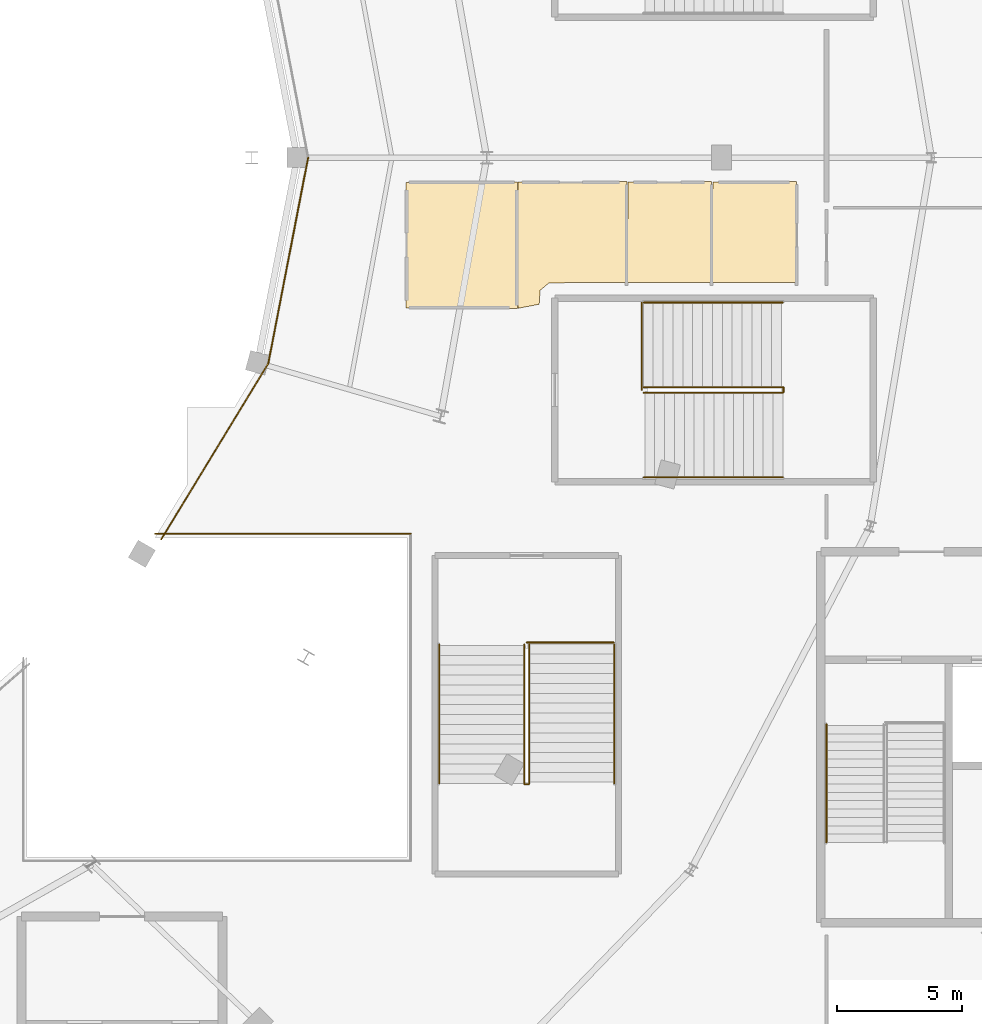
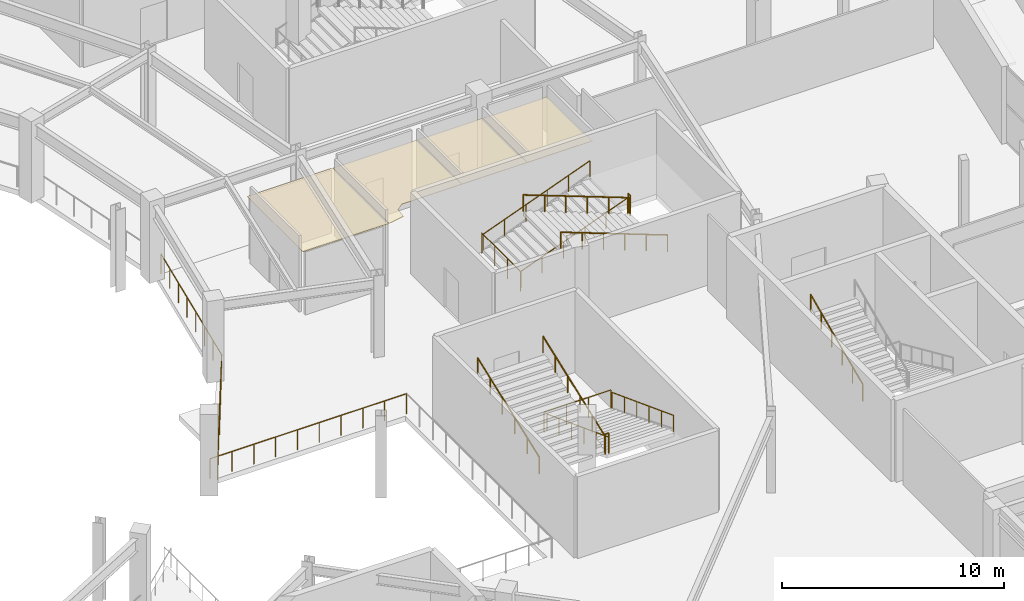
# One storey, part 104 of 107: 16 railings, 4 coverings.
"""IFC4 building model written with IfcOpenShell, lengths in metres."""

from ifc_helpers import new_model, si_unit, direction, frame, origin, origin_2d, place, context, subcontext, project, spatial, polyline, circle, outline, extrude, material, layer, layer_set, type_object, element, save


model = new_model("IFC4")

# Units and contexts
model_context = context("Model", 3, precision=1e-05, world=origin(), true_north=direction((0.0, 1.0)))
body_context = subcontext(model_context, "Body", "Model", "MODEL_VIEW")
ifc_project = project(units=[si_unit("LENGTHUNIT", "METRE"), si_unit("AREAUNIT", "SQUARE_METRE"), si_unit("VOLUMEUNIT", "CUBIC_METRE"), si_unit("PLANEANGLEUNIT", "RADIAN"), si_unit("MASSUNIT", "GRAM", prefix="KILO")], contexts=[model_context])

# Site, building, storey
site_placement = place(None, origin())
site = spatial("IfcSite", under=ifc_project, at=site_placement, CompositionType="ELEMENT")
building_placement = place(site_placement, origin())
building = spatial("IfcBuilding", under=site, at=building_placement, Name="Kalgoora Escarpment Arena", CompositionType="ELEMENT")
storey_placement = place(building_placement, frame((0.0, 0.0, 5.39990234375)))
storey = spatial("IfcBuildingStorey", under=building, at=storey_placement, Name="L01", CompositionType="ELEMENT", Elevation=5.39990234375)

# Coverings
ifc_material_1 = material(Name="Perforated acoustic mineral-fibre ceiling tile")
ifc_layer = layer(ifc_material_1, 0.02490234375)
ifc_layer_set = layer_set([ifc_layer], Name="COV-CEIL-ACOUSTIC")
covering_type = type_object("IfcCoveringType", Name="COV-CEIL-ACOUSTIC", PredefinedType="CEILING", material=ifc_layer_set)
covering_1_placement = place(storey_placement, frame((0.0, 0.0, 3.47998046875)))
element("IfcCovering", 1, at=covering_1_placement, inside=storey, type_object=covering_type, Name="L01 Male WC 2 acoustic suspended ceiling", PredefinedType="CEILING", context=body_context, shape_type="SweptSolid", body=[
    extrude(outline(polyline([(143.160888671875, 63.0078125), (147.630859375, 63.025390625), (147.62548828125, 57.968994140625), (143.169189453125, 57.974609375), (143.160888671875, 63.0078125)])), origin(), (0.0, 0.0, 1.0), 0.025146484375),
])
covering_2_placement = place(storey_placement, frame((0.0, 0.0, 3.47998046875)))
element("IfcCovering", 2, at=covering_2_placement, inside=storey, type_object=covering_type, Name="L01 Female WC 2 acoustic suspended ceiling", PredefinedType="CEILING", context=body_context, shape_type="SweptSolid", body=[
    extrude(outline(polyline([(152.0078125, 63.039306640625), (152.0400390625, 59.0), (148.902587890625, 58.990478515625), (148.5380859375, 58.69140625), (148.5, 58.132080078125), (147.65478515625, 57.968994140625), (147.649169921875, 63.025390625), (152.0078125, 63.039306640625)])), origin(), (0.0, 0.0, 1.0), 0.025146484375),
])
covering_3_placement = place(storey_placement, frame((0.0, 0.0, 3.47998046875)))
element("IfcCovering", 3, at=covering_3_placement, inside=storey, type_object=covering_type, Name="L01 Accessible WC 2 acoustic suspended ceiling", PredefinedType="CEILING", context=body_context, shape_type="SweptSolid", body=[
    extrude(outline(polyline([(155.40771484375, 63.039306640625), (155.43994140625, 59.0), (152.0400390625, 59.0), (152.049072265625, 63.025390625), (155.40771484375, 63.039306640625)])), origin(), (0.0, 0.0, 1.0), 0.025146484375),
])
covering_4_placement = place(storey_placement, frame((0.0, 0.0, 3.47998046875)))
element("IfcCovering", 4, at=covering_4_placement, inside=storey, type_object=covering_type, Name="L01 Staff WC 2 acoustic suspended ceiling", PredefinedType="CEILING", context=body_context, shape_type="SweptSolid", body=[
    extrude(outline(polyline([(158.807861328125, 63.039306640625), (158.840087890625, 59.0), (155.43994140625, 59.0), (155.44921875, 63.025390625), (158.807861328125, 63.039306640625)])), origin(), (0.0, 0.0, 1.0), 0.025146484375),
])

# Railings
ifc_material_2 = material(Name="Galvanised & powdercoated tubular steel", Category="steel")
railing_type_1 = type_object("IfcRailingType", Name="RAL-GUARD-1120", PredefinedType="GUARDRAIL", material=ifc_material_2)
railing_1_placement = place(storey_placement, frame((158.280029296875, 54.800048828125, 2.25)))
element("IfcRailing", 5, at=railing_1_placement, inside=storey, type_object=railing_type_1, Name="ST22 L01 half-landing well guard", PredefinedType="GUARDRAIL", context=body_context, shape_type="SweptSolid", body=[
    extrude(circle(Radius=0.02392578125, at=origin_2d()), frame((0.0, 0.0, 1.09619140625), z_axis=(0.0, -1.0, 0.0), x_axis=(1.0, 0.0, 0.0)), (0.0, 0.0, 1.0), 0.199951171875),
    extrude(circle(Radius=0.02099609375, at=origin_2d()), origin(), (0.0, 0.0, 1.0), 1.072021484375),
    extrude(circle(Radius=0.02099609375, at=origin_2d()), frame((0.0, -0.199951171875, 0.0)), (0.0, 0.0, 1.0), 1.072021484375),
])
railing_2_placement = place(storey_placement, frame((152.610107421875, 58.18994140625, 0.0)))
element("IfcRailing", 6, at=railing_2_placement, inside=storey, type_object=railing_type_1, Name="ST22 L01 floor landing well guard", PredefinedType="GUARDRAIL", context=body_context, shape_type="SweptSolid", body=[
    extrude(circle(Radius=0.02392578125, at=origin_2d()), frame((0.0, 0.0, 1.09619140625), z_axis=(0.0, -1.0, 0.0), x_axis=(1.0, 0.0, 0.0)), (0.0, 0.0, 1.0), 3.489990234375),
    extrude(circle(Radius=0.02099609375, at=origin_2d()), origin(), (0.0, 0.0, 1.0), 1.072021484375),
    extrude(circle(Radius=0.02099609375, at=origin_2d()), frame((0.0, -1.163330078125, 0.0)), (0.0, 0.0, 1.0), 1.072021484375),
    extrude(circle(Radius=0.02099609375, at=origin_2d()), frame((0.0, -2.32666015625, 0.0)), (0.0, 0.0, 1.0), 1.072021484375),
    extrude(circle(Radius=0.02099609375, at=origin_2d()), frame((0.0, -3.489990234375, 0.0)), (0.0, 0.0, 1.0), 1.072021484375),
])
railing_3_placement = place(storey_placement, frame((148.090087890625, 38.919921875, 2.25)))
element("IfcRailing", 7, at=railing_3_placement, inside=storey, type_object=railing_type_1, Name="ST24 L01 half-landing well guard", PredefinedType="GUARDRAIL", context=body_context, shape_type="SweptSolid", body=[
    extrude(circle(Radius=0.02392578125, at=origin_2d()), frame((0.0, 0.0, 1.09619140625), z_axis=(-1.0, 0.0, 0.0), x_axis=(0.0, -1.0, 0.0)), (0.0, 0.0, 1.0), 0.18017578125),
    extrude(circle(Radius=0.02099609375, at=origin_2d()), origin(), (0.0, 0.0, 1.0), 1.072021484375),
    extrude(circle(Radius=0.02099609375, at=origin_2d()), frame((-0.18017578125, 0.0, 0.0)), (0.0, 0.0, 1.0), 1.072021484375),
])
railing_4_placement = place(storey_placement, frame((151.489990234375, 44.590087890625, 0.0)))
element("IfcRailing", 8, at=railing_4_placement, inside=storey, type_object=railing_type_1, Name="ST24 L01 floor landing well guard", PredefinedType="GUARDRAIL", context=body_context, shape_type="SweptSolid", body=[
    extrude(circle(Radius=0.02392578125, at=origin_2d()), frame((0.0, 0.0, 1.09619140625), z_axis=(-1.0, 0.0, 0.0), x_axis=(0.0, -1.0, 0.0)), (0.0, 0.0, 1.0), 3.489990234375),
    extrude(circle(Radius=0.02099609375, at=origin_2d()), origin(), (0.0, 0.0, 1.0), 1.072021484375),
    extrude(circle(Radius=0.02099609375, at=origin_2d()), frame((-1.163330078125, 0.0, 0.0)), (0.0, 0.0, 1.0), 1.072021484375),
    extrude(circle(Radius=0.02099609375, at=origin_2d()), frame((-2.32666015625, 0.0, 0.0)), (0.0, 0.0, 1.0), 1.072021484375),
    extrude(circle(Radius=0.02099609375, at=origin_2d()), frame((-3.489990234375, 0.0, 0.0)), (0.0, 0.0, 1.0), 1.072021484375),
])
railing_5_placement = place(storey_placement, frame((133.3662109375, 48.719970703125, 0.0)))
element("IfcRailing", 9, at=railing_5_placement, inside=storey, type_object=railing_type_1, Name="L01 concourse bowl balustrade 23", PredefinedType="GUARDRAIL", context=body_context, shape_type="SweptSolid", body=[
    extrude(circle(Radius=0.02392578125, at=origin_2d()), frame((0.0, 0.0, 1.09619140625), z_axis=(0.520318182164, 0.853972475733, 0.0), x_axis=(-0.853972475733, 0.520318182164, 0.0)), (0.0, 0.0, 1.0), 8.239990234375),
    extrude(circle(Radius=0.02099609375, at=origin_2d()), origin(), (0.0, 0.0, 1.0), 1.072021484375),
    extrude(circle(Radius=0.02099609375, at=origin_2d()), frame((0.612548828125, 1.005126953125, 0.0)), (0.0, 0.0, 1.0), 1.072021484375),
    extrude(circle(Radius=0.02099609375, at=origin_2d()), frame((1.224853515625, 2.010498046875, 0.0)), (0.0, 0.0, 1.0), 1.072021484375),
    extrude(circle(Radius=0.02099609375, at=origin_2d()), frame((1.83740234375, 3.015625, 0.0)), (0.0, 0.0, 1.0), 1.072021484375),
    extrude(circle(Radius=0.02099609375, at=origin_2d()), frame((2.449951171875, 4.02099609375, 0.0)), (0.0, 0.0, 1.0), 1.072021484375),
    extrude(circle(Radius=0.02099609375, at=origin_2d()), frame((3.0625, 5.026123046875, 0.0)), (0.0, 0.0, 1.0), 1.072021484375),
    extrude(circle(Radius=0.02099609375, at=origin_2d()), frame((3.6748046875, 6.031494140625, 0.0)), (0.0, 0.0, 1.0), 1.072021484375),
    extrude(circle(Radius=0.02099609375, at=origin_2d()), frame((4.287353515625, 7.03662109375, 0.0)), (0.0, 0.0, 1.0), 1.072021484375),
])
railing_6_placement = place(storey_placement, frame((137.653564453125, 55.756591796875, 0.0)))
element("IfcRailing", 10, at=railing_6_placement, inside=storey, type_object=railing_type_1, Name="L01 concourse bowl balustrade 24", PredefinedType="GUARDRAIL", context=body_context, shape_type="SweptSolid", body=[
    extrude(circle(Radius=0.02392578125, at=origin_2d()), frame((0.0, 0.0, 1.09619140625), z_axis=(0.190129490405, 0.981759021796, 0.0), x_axis=(-0.981759021796, 0.190129490405, 0.0)), (0.0, 0.0, 1.0), 8.396484375),
    extrude(circle(Radius=0.02099609375, at=origin_2d()), origin(), (0.0, 0.0, 1.0), 1.072021484375),
    extrude(circle(Radius=0.02099609375, at=origin_2d()), frame((0.22802734375, 1.177734375, 0.0)), (0.0, 0.0, 1.0), 1.072021484375),
    extrude(circle(Radius=0.02099609375, at=origin_2d()), frame((0.4560546875, 2.355224609375, 0.0)), (0.0, 0.0, 1.0), 1.072021484375),
    extrude(circle(Radius=0.02099609375, at=origin_2d()), frame((0.68408203125, 3.532958984375, 0.0)), (0.0, 0.0, 1.0), 1.072021484375),
    extrude(circle(Radius=0.02099609375, at=origin_2d()), frame((0.912353515625, 4.71044921875, 0.0)), (0.0, 0.0, 1.0), 1.072021484375),
    extrude(circle(Radius=0.02099609375, at=origin_2d()), frame((1.140380859375, 5.88818359375, 0.0)), (0.0, 0.0, 1.0), 1.072021484375),
    extrude(circle(Radius=0.02099609375, at=origin_2d()), frame((1.368408203125, 7.065673828125, 0.0)), (0.0, 0.0, 1.0), 1.072021484375),
    extrude(circle(Radius=0.02099609375, at=origin_2d()), frame((1.596435546875, 8.243408203125, 0.0)), (0.0, 0.0, 1.0), 1.072021484375),
])
railing_7_placement = place(storey_placement, frame((143.35009765625, 48.949951171875, 0.0)))
element("IfcRailing", 11, at=railing_7_placement, inside=storey, type_object=railing_type_1, Name="L01 practice court void balustrade N", PredefinedType="GUARDRAIL", context=body_context, shape_type="SweptSolid", body=[
    extrude(circle(Radius=0.02392578125, at=origin_2d()), frame((0.0, 0.0, 1.09619140625), z_axis=(-1.0, 0.0, 0.0), x_axis=(0.0, -1.0, 0.0)), (0.0, 0.0, 1.0), 10.22900390625),
    extrude(circle(Radius=0.02099609375, at=origin_2d()), origin(), (0.0, 0.0, 1.0), 1.072021484375),
    extrude(circle(Radius=0.02099609375, at=origin_2d()), frame((-1.136474609375, 0.0, 0.0)), (0.0, 0.0, 1.0), 1.072021484375),
    extrude(circle(Radius=0.02099609375, at=origin_2d()), frame((-2.273193359375, 0.0, 0.0)), (0.0, 0.0, 1.0), 1.072021484375),
    extrude(circle(Radius=0.02099609375, at=origin_2d()), frame((-3.40966796875, 0.0, 0.0)), (0.0, 0.0, 1.0), 1.072021484375),
    extrude(circle(Radius=0.02099609375, at=origin_2d()), frame((-4.546142578125, 0.0, 0.0)), (0.0, 0.0, 1.0), 1.072021484375),
    extrude(circle(Radius=0.02099609375, at=origin_2d()), frame((-5.682861328125, 0.0, 0.0)), (0.0, 0.0, 1.0), 1.072021484375),
    extrude(circle(Radius=0.02099609375, at=origin_2d()), frame((-6.8193359375, 0.0, 0.0)), (0.0, 0.0, 1.0), 1.072021484375),
    extrude(circle(Radius=0.02099609375, at=origin_2d()), frame((-7.955810546875, 0.0, 0.0)), (0.0, 0.0, 1.0), 1.072021484375),
    extrude(circle(Radius=0.02099609375, at=origin_2d()), frame((-9.092529296875, 0.0, 0.0)), (0.0, 0.0, 1.0), 1.072021484375),
    extrude(circle(Radius=0.02099609375, at=origin_2d()), frame((-10.22900390625, 0.0, 0.0)), (0.0, 0.0, 1.0), 1.072021484375),
])
ifc_material_3 = material(Name="Brushed stainless steel 316 handrail", Category="steel")
railing_type_2 = type_object("IfcRailingType", Name="RAL-HAND-920", PredefinedType="HANDRAIL", material=ifc_material_3)
railing_8_placement = place(storey_placement, frame((160.0, 36.590087890625, 2.360107421875)))
element("IfcRailing", 12, at=railing_8_placement, inside=storey, type_object=railing_type_2, Name="ST07 L01 pitched stair handrail F2R", PredefinedType="HANDRAIL", context=body_context, shape_type="SweptSolid", body=[
    extrude(circle(Radius=0.02392578125, at=origin_2d()), frame((0.0, 0.0, 0.89599609375), z_axis=(0.0, 0.913643874524, 0.406515523129), x_axis=(-1.0, 0.0, 0.0)), (0.0, 0.0, 1.0), 5.166015625),
    extrude(circle(Radius=0.02099609375, at=origin_2d()), origin(), (0.0, 0.0, 1.0), 0.871826171875),
    extrude(circle(Radius=0.02099609375, at=origin_2d()), frame((0.0, 0.944091796875, 0.419921875)), (0.0, 0.0, 1.0), 0.871826171875),
    extrude(circle(Radius=0.02099609375, at=origin_2d()), frame((0.0, 1.887939453125, 0.840087890625)), (0.0, 0.0, 1.0), 0.871826171875),
    extrude(circle(Radius=0.02099609375, at=origin_2d()), frame((0.0, 2.83203125, 1.260009765625)), (0.0, 0.0, 1.0), 0.871826171875),
    extrude(circle(Radius=0.02099609375, at=origin_2d()), frame((0.0, 3.77587890625, 1.68017578125)), (0.0, 0.0, 1.0), 0.871826171875),
    extrude(circle(Radius=0.02099609375, at=origin_2d()), frame((0.0, 4.719970703125, 2.10009765625)), (0.0, 0.0, 1.0), 0.871826171875),
])
for number, where, name in (
    (13, (152.68994140625, 58.199951171875, 0.110107421875), "ST22 L01 pitched stair handrail F1L"),
    (14, (152.68994140625, 54.81005859375, 0.110107421875), "ST22 L01 pitched stair handrail F1R"),
):
    element("IfcRailing", number, at=place(storey_placement, frame(where)), inside=storey, type_object=railing_type_2, Name=name, PredefinedType="HANDRAIL", context=body_context, shape_type="SweptSolid", body=[
        extrude(circle(Radius=0.02392578125, at=origin_2d()), frame((0.0, 0.0, 0.89599609375), z_axis=(0.935492612948, 0.0, 0.353346248203), x_axis=(0.0, 1.0, 0.0)), (0.0, 0.0, 1.0), 5.943359375),
        extrude(circle(Radius=0.02099609375, at=origin_2d()), origin(), (0.0, 0.0, 1.0), 0.871826171875),
        extrude(circle(Radius=0.02099609375, at=origin_2d()), frame((1.112060546875, 0.0, 0.419921875)), (0.0, 0.0, 1.0), 0.871826171875),
        extrude(circle(Radius=0.02099609375, at=origin_2d()), frame((2.22412109375, 0.0, 0.840087890625)), (0.0, 0.0, 1.0), 0.871826171875),
        extrude(circle(Radius=0.02099609375, at=origin_2d()), frame((3.3359375, 0.0, 1.260009765625)), (0.0, 0.0, 1.0), 0.871826171875),
        extrude(circle(Radius=0.02099609375, at=origin_2d()), frame((4.447998046875, 0.0, 1.68017578125)), (0.0, 0.0, 1.0), 0.871826171875),
        extrude(circle(Radius=0.02099609375, at=origin_2d()), frame((5.56005859375, 0.0, 2.10009765625)), (0.0, 0.0, 1.0), 0.871826171875),
    ])
for number, where, name in (
    (15, (158.25, 54.590087890625, 2.360107421875), "ST22 L01 pitched stair handrail F2L"),
    (16, (158.25, 51.199951171875, 2.360107421875), "ST22 L01 pitched stair handrail F2R"),
):
    element("IfcRailing", number, at=place(storey_placement, frame(where)), inside=storey, type_object=railing_type_2, Name=name, PredefinedType="HANDRAIL", context=body_context, shape_type="SweptSolid", body=[
        extrude(circle(Radius=0.02392578125, at=origin_2d()), frame((0.0, 0.0, 0.89599609375), z_axis=(-0.935492612948, 0.0, 0.353346248203), x_axis=(0.0, -1.0, 0.0)), (0.0, 0.0, 1.0), 5.943359375),
        extrude(circle(Radius=0.02099609375, at=origin_2d()), origin(), (0.0, 0.0, 1.0), 0.871826171875),
        extrude(circle(Radius=0.02099609375, at=origin_2d()), frame((-1.112060546875, 0.0, 0.419921875)), (0.0, 0.0, 1.0), 0.871826171875),
        extrude(circle(Radius=0.02099609375, at=origin_2d()), frame((-2.22412109375, 0.0, 0.840087890625)), (0.0, 0.0, 1.0), 0.871826171875),
        extrude(circle(Radius=0.02099609375, at=origin_2d()), frame((-3.3359375, 0.0, 1.260009765625)), (0.0, 0.0, 1.0), 0.871826171875),
        extrude(circle(Radius=0.02099609375, at=origin_2d()), frame((-4.447998046875, 0.0, 1.68017578125)), (0.0, 0.0, 1.0), 0.871826171875),
        extrude(circle(Radius=0.02099609375, at=origin_2d()), frame((-5.56005859375, 0.0, 2.10009765625)), (0.0, 0.0, 1.0), 0.871826171875),
    ])
for number, where, name in (
    (17, (151.5, 44.510009765625, 0.110107421875), "ST24 L01 pitched stair handrail F1L"),
    (18, (148.10009765625, 44.510009765625, 0.110107421875), "ST24 L01 pitched stair handrail F1R"),
):
    element("IfcRailing", number, at=place(storey_placement, frame(where)), inside=storey, type_object=railing_type_2, Name=name, PredefinedType="HANDRAIL", context=body_context, shape_type="SweptSolid", body=[
        extrude(circle(Radius=0.02392578125, at=origin_2d()), frame((0.0, 0.0, 0.89599609375), z_axis=(0.0, -0.935492612948, 0.353346248203), x_axis=(1.0, 0.0, 0.0)), (0.0, 0.0, 1.0), 5.943359375),
        extrude(circle(Radius=0.02099609375, at=origin_2d()), origin(), (0.0, 0.0, 1.0), 0.871826171875),
        extrude(circle(Radius=0.02099609375, at=origin_2d()), frame((0.0, -1.112060546875, 0.419921875)), (0.0, 0.0, 1.0), 0.871826171875),
        extrude(circle(Radius=0.02099609375, at=origin_2d()), frame((0.0, -2.22412109375, 0.840087890625)), (0.0, 0.0, 1.0), 0.871826171875),
        extrude(circle(Radius=0.02099609375, at=origin_2d()), frame((0.0, -3.3359375, 1.260009765625)), (0.0, 0.0, 1.0), 0.871826171875),
        extrude(circle(Radius=0.02099609375, at=origin_2d()), frame((0.0, -4.447998046875, 1.68017578125)), (0.0, 0.0, 1.0), 0.871826171875),
        extrude(circle(Radius=0.02099609375, at=origin_2d()), frame((0.0, -5.56005859375, 2.10009765625)), (0.0, 0.0, 1.0), 0.871826171875),
    ])
for number, where, name in (
    (19, (147.89990234375, 38.949951171875, 2.360107421875), "ST24 L01 pitched stair handrail F2L"),
    (20, (144.5, 38.949951171875, 2.360107421875), "ST24 L01 pitched stair handrail F2R"),
):
    element("IfcRailing", number, at=place(storey_placement, frame(where)), inside=storey, type_object=railing_type_2, Name=name, PredefinedType="HANDRAIL", context=body_context, shape_type="SweptSolid", body=[
        extrude(circle(Radius=0.02392578125, at=origin_2d()), frame((0.0, 0.0, 0.89599609375), z_axis=(0.0, 0.935492612948, 0.353346248203), x_axis=(-1.0, 0.0, 0.0)), (0.0, 0.0, 1.0), 5.943359375),
        extrude(circle(Radius=0.02099609375, at=origin_2d()), origin(), (0.0, 0.0, 1.0), 0.871826171875),
        extrude(circle(Radius=0.02099609375, at=origin_2d()), frame((0.0, 1.112060546875, 0.419921875)), (0.0, 0.0, 1.0), 0.871826171875),
        extrude(circle(Radius=0.02099609375, at=origin_2d()), frame((0.0, 2.22412109375, 0.840087890625)), (0.0, 0.0, 1.0), 0.871826171875),
        extrude(circle(Radius=0.02099609375, at=origin_2d()), frame((0.0, 3.3359375, 1.260009765625)), (0.0, 0.0, 1.0), 0.871826171875),
        extrude(circle(Radius=0.02099609375, at=origin_2d()), frame((0.0, 4.447998046875, 1.68017578125)), (0.0, 0.0, 1.0), 0.871826171875),
        extrude(circle(Radius=0.02099609375, at=origin_2d()), frame((0.0, 5.56005859375, 2.10009765625)), (0.0, 0.0, 1.0), 0.871826171875),
    ])

save(model, "model.ifc")
